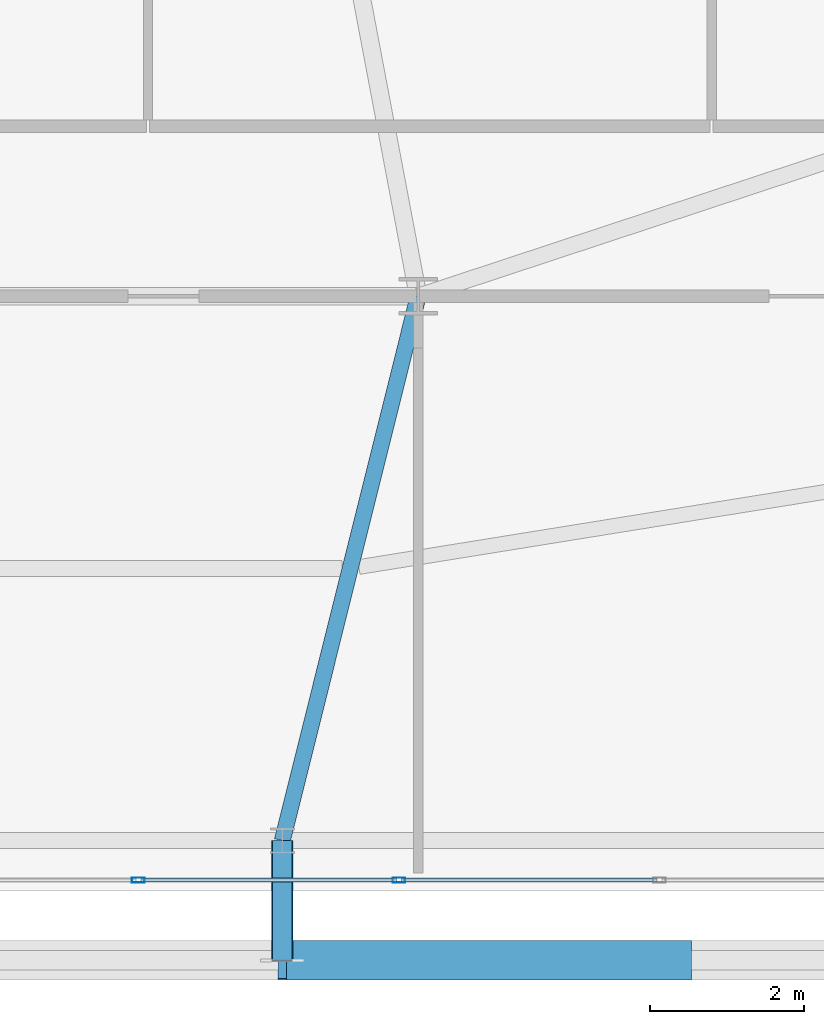
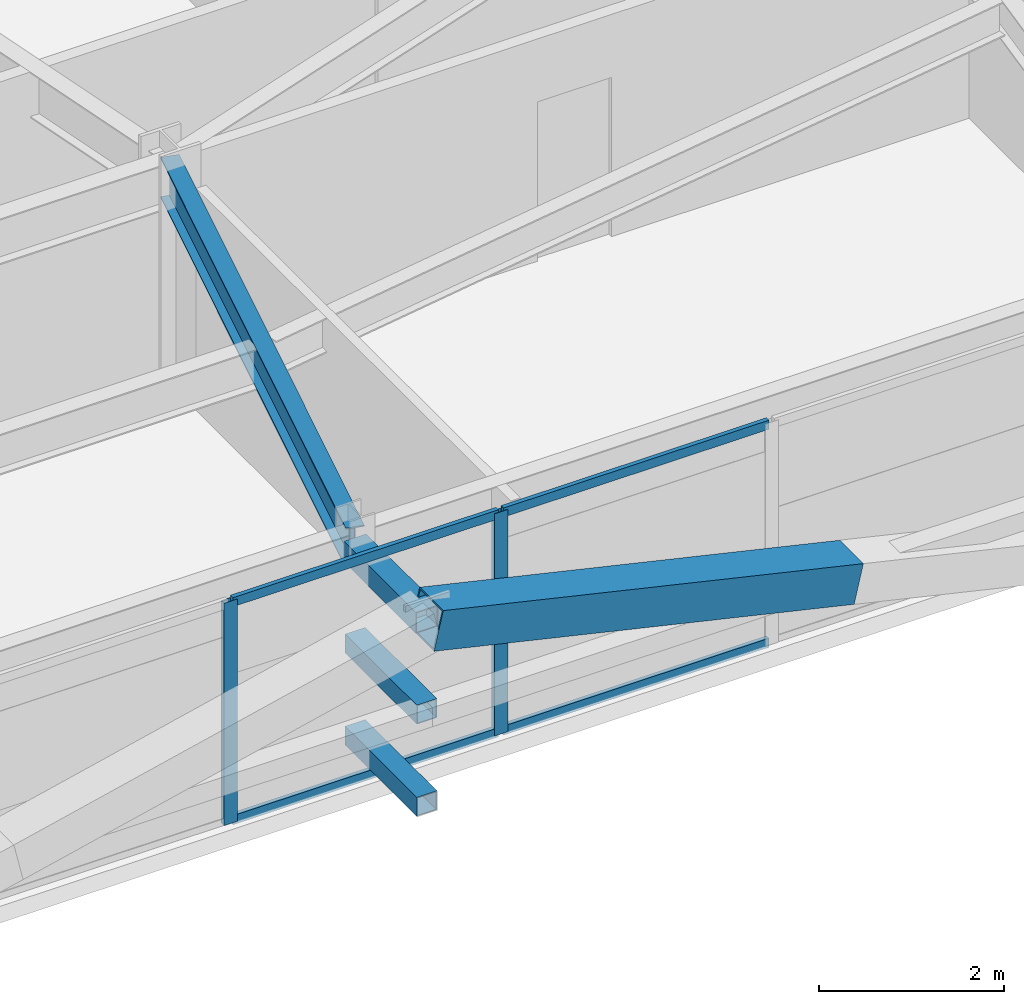
# One storey, part 20 of 58: 10 members, 1 beam, 1 element without a shape of its own.
"""IFC4 building model written with IfcOpenShell, lengths in metres."""

from ifc_helpers import new_model, si_unit, direction, frame, origin, origin_2d, place, context, subcontext, project, spatial, hollow_rectangle, i_section, extrude, source, transform, mapped, material, layer, layer_set, material_profile, profile_set, type_object, element, aggregate, save


model = new_model("IFC4")

# Units and contexts
model_context = context("Model", 3, precision=1e-05, world=origin(), true_north=direction((0.0, 1.0)))
body_context = subcontext(model_context, "Body", "Model", "MODEL_VIEW")
ifc_project = project(units=[si_unit("LENGTHUNIT", "METRE"), si_unit("AREAUNIT", "SQUARE_METRE"), si_unit("VOLUMEUNIT", "CUBIC_METRE"), si_unit("PLANEANGLEUNIT", "RADIAN"), si_unit("MASSUNIT", "GRAM", prefix="KILO")], contexts=[model_context])

# Site, building, storey
site_placement = place(None, origin())
site = spatial("IfcSite", under=ifc_project, at=site_placement, CompositionType="ELEMENT")
building_placement = place(site_placement, origin())
building = spatial("IfcBuilding", under=site, at=building_placement, Name="Taldren Reach Tower", CompositionType="ELEMENT")
storey_placement = place(building_placement, frame((0.0, 0.0, 35.699951171875)))
storey = spatial("IfcBuildingStorey", under=building, at=storey_placement, Name="L10", CompositionType="ELEMENT", Elevation=35.699951171875)

# Beam
ifc_material_1 = material(Name="Steel Gr 350 (350PLUS)", Category="steel")
ifc_material_profile_1 = material_profile(ifc_material_1, i_section(OverallWidth=0.208984375, OverallDepth=0.532958984375, WebThickness=0.01025390625, FlangeThickness=0.015625, at=origin_2d()), Name="530UB92.4")
ifc_profile_set_1 = profile_set([ifc_material_profile_1], Name="Steel Gr 350 (350PLUS)")
beam_type = type_object("IfcBeamType", Name="BM-UB530A", PredefinedType="BEAM", material=ifc_profile_set_1)
shared_shape_1 = source(origin(), body_context, "Body", "SweptSolid", [
    extrude(i_section(OverallWidth=0.208984375, OverallDepth=0.532958984375, WebThickness=0.01025390625, FlangeThickness=0.015625, at=origin_2d()), origin(), (0.0, 0.0, 1.0), 7.266357421875),
])
beam_placement = place(storey_placement, frame((42.0, 9.199951171875, 2.66357421875), z_axis=(-0.24221148493, -0.970223477642, 0.0), x_axis=(0.970223477642, -0.24221148493, 0.0)))
element("IfcBeam", 1, at=beam_placement, inside=storey, type_object=beam_type, Name="Primary floor girder B1-S4 L10", PredefinedType="BEAM", context=body_context, shape_type="MappedRepresentation", body=[
    mapped(shared_shape_1, transform((0.0, 0.0, 0.0), scale=1.0)),
])

# Members
ifc_material_2 = material(Name="Steel Gr 450 (C450L0)", Category="steel")
ifc_material_profile_2 = material_profile(ifc_material_2, hollow_rectangle(XDim=0.27490234375, YDim=0.27490234375, WallThickness=0.00927734375, at=origin_2d()), Name="275x275x9.3SHS")
ifc_profile_set_2 = profile_set([ifc_material_profile_2], Name="Steel Gr 450 (C450L0)")
member_type_1 = type_object("IfcMemberType", Name="MB-TIE273", PredefinedType="STRUT", material=ifc_profile_set_2)
shared_shape_2 = source(origin(), body_context, "Body", "SweptSolid", [
    extrude(hollow_rectangle(XDim=0.27490234375, YDim=0.27490234375, WallThickness=0.00927734375, at=origin_2d()), origin(), (0.0, 0.0, 1.0), 1.5498046875),
])
member_1_placement = place(storey_placement, frame((40.239990234375, 2.14990234375, 2.650146484375), z_axis=(0.0, -1.0, 0.0), x_axis=(1.0, 0.0, 0.0)))
element("IfcMember", 2, at=member_1_placement, inside=storey, type_object=member_type_1, Name="Exoskeleton diaphragm tie strut B1-S4 L10", PredefinedType="STRUT", context=body_context, shape_type="MappedRepresentation", body=[
    mapped(shared_shape_2, transform((0.0, 0.0, 0.0), scale=1.0)),
])
ifc_material_profile_3 = material_profile(ifc_material_2, hollow_rectangle(XDim=0.510009765625, YDim=0.510009765625, WallThickness=0.02001953125, at=origin_2d()), Name="510x510x20.0SHS")
ifc_profile_set_3 = profile_set([ifc_material_profile_3], Name="Steel Gr 450 (C450L0)")
member_type_2 = type_object("IfcMemberType", Name="MB-EXO508", PredefinedType="BRACE", material=ifc_profile_set_3)
shared_shape_3 = source(origin(), body_context, "Body", "SweptSolid", [
    extrude(hollow_rectangle(XDim=0.510009765625, YDim=0.510009765625, WallThickness=0.02001953125, at=origin_2d()), origin(), (0.0, 0.0, 1.0), 5.37890625),
])
member_2_placement = place(storey_placement, frame((45.47998046875, 0.60009765625, 1.43505859375), z_axis=(-0.97415197996, 0.0, 0.225893603143), x_axis=(0.0, -1.0, 0.0)))
element("IfcMember", 3, at=member_2_placement, inside=storey, type_object=member_type_2, Name="Exoskeleton Diagrid Brace B1-S4 L10", PredefinedType="BRACE", context=body_context, shape_type="MappedRepresentation", body=[
    mapped(shared_shape_3, transform((0.0, 0.0, 0.0), scale=1.0)),
])
ifc_material_3 = material(Name="Steel Gr 350 (C350L0)", Category="steel")
ifc_material_profile_4 = material_profile(ifc_material_3, hollow_rectangle(XDim=0.25, YDim=0.25, WallThickness=0.010009765625, at=origin_2d()), Name="250x250x10.0SHS")
ifc_profile_set_4 = profile_set([ifc_material_profile_4], Name="Steel Gr 350 (C350L0)")
member_type_3 = type_object("IfcMemberType", Name="MB-POST250", PredefinedType="POST", material=ifc_profile_set_4)
shared_shape_4 = source(origin(), body_context, "Body", "SweptSolid", [
    extrude(hollow_rectangle(XDim=0.25, YDim=0.25, WallThickness=0.010009765625, at=origin_2d()), origin(), (0.0, 0.0, 1.0), 1.5498046875),
])
for number, where, z_axis, x_axis, name in (
    (4, (40.239990234375, 2.14990234375, 0.219970703125), (0.0, -1.0, 0.0), (1.0, 0.0, 0.0), "Exoskeleton base diaphragm tie strut B1-S4 L10"),
    (5, (40.239990234375, 2.14990234375, 1.43505859375), (0.0, -1.0, 0.0), (1.0, 0.0, 0.0), "Exoskeleton mid-tier diaphragm tie B1-S4 L10"),
):
    element("IfcMember", number, at=place(storey_placement, frame(where, z_axis=z_axis, x_axis=x_axis)), inside=storey, type_object=member_type_3, Name=name, PredefinedType="POST", context=body_context, shape_type="MappedRepresentation", body=[
        mapped(shared_shape_4, transform((0.0, 0.0, 0.0), scale=1.0)),
    ])

# Curtain wall, members
ifc_material_4 = material(Name="Aluminium and Low-E Glass Unitised System", Category="aluminium")
ifc_layer = layer(ifc_material_4, 0.159912109375)
ifc_layer_set = layer_set([ifc_layer], Name="Aluminium and Low-E Glass Unitised System")
curtain_wall_type = type_object("IfcCurtainWallType", Name="CW-SYS-2", PredefinedType="NOTDEFINED", material=ifc_layer_set)
curtain_wall_placement = place(storey_placement, origin())
curtain_wall = element("IfcCurtainWall", 6, at=curtain_wall_placement, inside=storey, type_object=curtain_wall_type, Name="Unitised curtain wall CW-L10-S", PredefinedType="NOTDEFINED")
ifc_material_5 = material(Name="Anodised Aluminium 6063-T6", Category="aluminium")
ifc_material_profile_5 = material_profile(ifc_material_5, hollow_rectangle(XDim=0.06494140625, YDim=0.1650390625, WallThickness=0.00390625, at=origin_2d()), Name="ALU-165x65x4RHS")
ifc_profile_set_5 = profile_set([ifc_material_profile_5], Name="Anodised Aluminium 6063-T6")
member_type_4 = type_object("IfcMemberType", Name="CW-MUL-165", PredefinedType="MULLION", material=ifc_profile_set_5)
shared_shape_5 = source(origin(), body_context, "Body", "SweptSolid", [
    extrude(hollow_rectangle(XDim=0.06494140625, YDim=0.1650390625, WallThickness=0.00390625, at=origin_2d()), origin(), (0.0, 0.0, 1.0), 2.929931640625),
])
member_3_placement = place(storey_placement, frame((38.375, 1.639892578125, 0.0), z_axis=(0.0, 0.0, 1.0), x_axis=(0.0, 1.0, 0.0)))
member_3 = element("IfcMember", 7, at=member_3_placement, type_object=member_type_4, Name="CW-2 mullion 10", PredefinedType="MULLION", context=body_context, shape_type="MappedRepresentation", body=[
    mapped(shared_shape_5, transform((0.0, 0.0, 0.0), scale=1.0)),
])
member_4_placement = place(storey_placement, frame((41.75, 1.639892578125, 0.0), z_axis=(0.0, 0.0, 1.0), x_axis=(0.0, 1.0, 0.0)))
member_4 = element("IfcMember", 8, at=member_4_placement, type_object=member_type_4, Name="CW-2 mullion 11", PredefinedType="MULLION", context=body_context, shape_type="MappedRepresentation", body=[
    mapped(shared_shape_5, transform((0.0, 0.0, 0.0), scale=1.0)),
])
ifc_material_profile_6 = material_profile(ifc_material_5, hollow_rectangle(XDim=0.054931640625, YDim=0.1201171875, WallThickness=0.0029296875, at=origin_2d()), Name="ALU-120x55x3RHS")
ifc_profile_set_6 = profile_set([ifc_material_profile_6], Name="Anodised Aluminium 6063-T6")
member_type_5 = type_object("IfcMemberType", Name="CW-TRN-135", PredefinedType="USERDEFINED", material=ifc_profile_set_6)
shared_shape_6 = source(origin(), body_context, "Body", "SweptSolid", [
    extrude(hollow_rectangle(XDim=0.054931640625, YDim=0.1201171875, WallThickness=0.0029296875, at=origin_2d()), origin(), (0.0, 0.0, 1.0), 3.31005859375),
])
member_5_placement = place(storey_placement, frame((38.407470703125, 1.639892578125, 0.027587890625), z_axis=(1.0, 0.0, 0.0), x_axis=(0.0, 1.0, 0.0)))
member_5 = element("IfcMember", 9, at=member_5_placement, type_object=member_type_5, Name="CW-2 transom 10.1", ObjectType="TRANSOM", PredefinedType="USERDEFINED", context=body_context, shape_type="MappedRepresentation", body=[
    mapped(shared_shape_6, transform((0.0, 0.0, 0.0), scale=1.0)),
])
member_6_placement = place(storey_placement, frame((38.407470703125, 1.639892578125, 2.902587890625), z_axis=(1.0, 0.0, 0.0), x_axis=(0.0, 1.0, 0.0)))
member_6 = element("IfcMember", 10, at=member_6_placement, type_object=member_type_5, Name="CW-2 transom 10.2", ObjectType="TRANSOM", PredefinedType="USERDEFINED", context=body_context, shape_type="MappedRepresentation", body=[
    mapped(shared_shape_6, transform((0.0, 0.0, 0.0), scale=1.0)),
])
member_7_placement = place(storey_placement, frame((41.782470703125, 1.639892578125, 0.027587890625), z_axis=(1.0, 0.0, 0.0), x_axis=(0.0, 1.0, 0.0)))
member_7 = element("IfcMember", 11, at=member_7_placement, type_object=member_type_5, Name="CW-2 transom 11.1", ObjectType="TRANSOM", PredefinedType="USERDEFINED", context=body_context, shape_type="MappedRepresentation", body=[
    mapped(shared_shape_6, transform((0.0, 0.0, 0.0), scale=1.0)),
])
member_8_placement = place(storey_placement, frame((41.782470703125, 1.639892578125, 2.902587890625), z_axis=(1.0, 0.0, 0.0), x_axis=(0.0, 1.0, 0.0)))
member_8 = element("IfcMember", 12, at=member_8_placement, type_object=member_type_5, Name="CW-2 transom 11.2", ObjectType="TRANSOM", PredefinedType="USERDEFINED", context=body_context, shape_type="MappedRepresentation", body=[
    mapped(shared_shape_6, transform((0.0, 0.0, 0.0), scale=1.0)),
])
aggregate(curtain_wall, [member_3, member_4, member_5, member_6, member_7, member_8])

save(model, "model.ifc")
